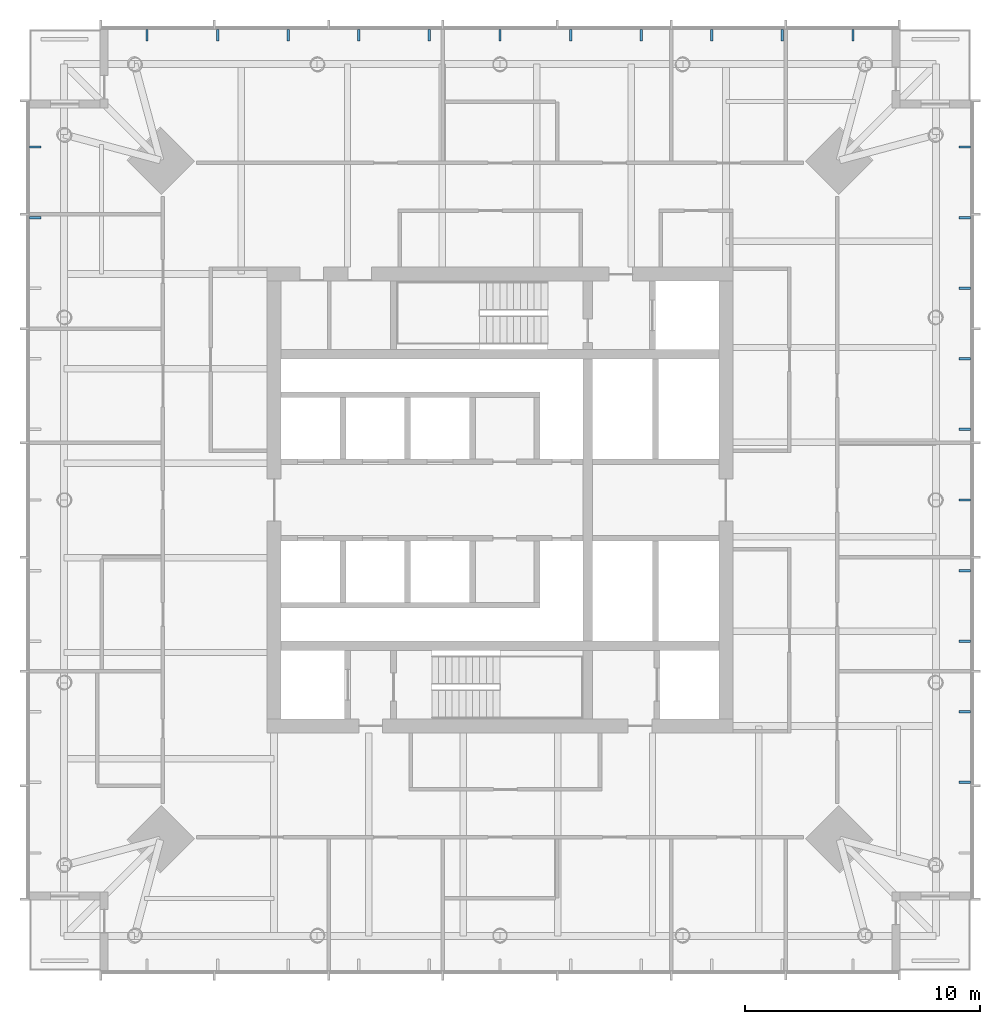
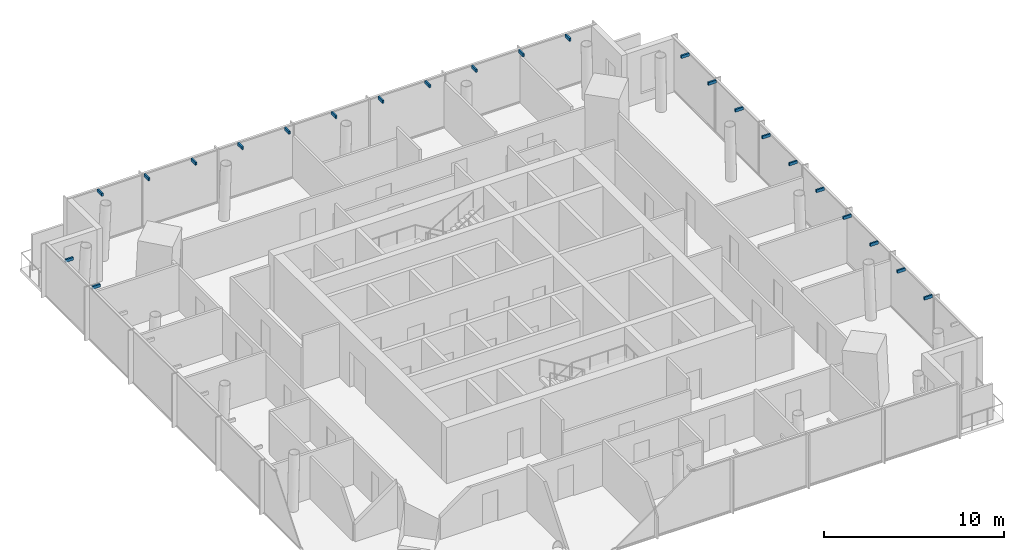
# One storey, part 8 of 9: 23 discrete accessories.
"""IFC4 building model written with IfcOpenShell, lengths in metres."""

from ifc_helpers import new_model, si_unit, direction, frame, origin, origin_2d, place, context, subcontext, project, spatial, rectangle, extrude, material, type_object, element, save


model = new_model("IFC4")

# Units and contexts
model_context = context("Model", 3, precision=1e-05, world=origin(), true_north=direction((0.0, 1.0)))
body_context = subcontext(model_context, "Body", "Model", "MODEL_VIEW")
ifc_project = project(units=[si_unit("LENGTHUNIT", "METRE"), si_unit("AREAUNIT", "SQUARE_METRE"), si_unit("VOLUMEUNIT", "CUBIC_METRE"), si_unit("PLANEANGLEUNIT", "RADIAN"), si_unit("MASSUNIT", "GRAM", prefix="KILO")], contexts=[model_context])

# Site, building, storey
site_placement = place(None, origin())
site = spatial("IfcSite", under=ifc_project, at=site_placement, CompositionType="ELEMENT")
building_placement = place(site_placement, origin())
building = spatial("IfcBuilding", under=site, at=building_placement, Name="Ostroluk Exchange", CompositionType="ELEMENT")
storey_placement = place(building_placement, frame((0.0, 0.0, 192.0)))
storey = spatial("IfcBuildingStorey", under=building, at=storey_placement, Name="L49", CompositionType="ELEMENT", Elevation=192.0)

# Discrete accessories
ifc_material = material(Name="Steel S355", Category="steel")
discrete_accessory_type = type_object("IfcDiscreteAccessoryType", Name="Maintenance roof bracket", PredefinedType="BRACKET", material=ifc_material)
for number, where, z_axis, x_axis, name in (
    (1, (64.75, 34.0, 3.4501953125), (0.0, 0.0, 1.0), (1.0, 0.0, 0.0), "Maintenance roof bracket L50 east 2"),
    (2, (64.75, 37.0, 3.4501953125), (0.0, 0.0, 1.0), (1.0, 0.0, 0.0), "Maintenance roof bracket L50 east 3"),
    (3, (64.75, 40.0, 3.4501953125), (0.0, 0.0, 1.0), (1.0, 0.0, 0.0), "Maintenance roof bracket L50 east 4"),
    (4, (64.75, 43.0, 3.4501953125), (0.0, 0.0, 1.0), (1.0, 0.0, 0.0), "Maintenance roof bracket L50 east 5"),
    (5, (64.75, 46.0, 3.4501953125), (0.0, 0.0, 1.0), (1.0, 0.0, 0.0), "Maintenance roof bracket L50 east 6"),
    (6, (64.75, 49.0, 3.4501953125), (0.0, 0.0, 1.0), (1.0, 0.0, 0.0), "Maintenance roof bracket L50 east 7"),
    (7, (64.75, 52.0, 3.4501953125), (0.0, 0.0, 1.0), (1.0, 0.0, 0.0), "Maintenance roof bracket L50 east 8"),
    (8, (64.75, 55.0, 3.4501953125), (0.0, 0.0, 1.0), (1.0, 0.0, 0.0), "Maintenance roof bracket L50 east 9"),
    (9, (64.75, 58.0, 3.4501953125), (0.0, 0.0, 1.0), (1.0, 0.0, 0.0), "Maintenance roof bracket L50 east 10"),
    (10, (64.75, 61.0, 3.4501953125), (0.0, 0.0, 1.0), (1.0, 0.0, 0.0), "Maintenance roof bracket L50 east 11"),
):
    element("IfcDiscreteAccessory", number, at=place(storey_placement, frame(where, z_axis=z_axis, x_axis=x_axis)), inside=storey, type_object=discrete_accessory_type, Name=name, PredefinedType="BRACKET", context=body_context, shape_type="SweptSolid", body=[
        extrude(rectangle(XDim=0.5, YDim=0.10009765625, at=origin_2d()), origin(), (0.0, 0.0, 1.0), 0.199951171875),
    ])
for number, where, z_axis, x_axis, name in (
    (11, (30.0, 65.75, 3.4501953125), (0.0, 0.0, 1.0), (1.0, 0.0, 0.0), "Maintenance roof bracket L50 north 1"),
    (12, (33.0, 65.75, 3.4501953125), (0.0, 0.0, 1.0), (1.0, 0.0, 0.0), "Maintenance roof bracket L50 north 2"),
    (13, (36.0, 65.75, 3.4501953125), (0.0, 0.0, 1.0), (1.0, 0.0, 0.0), "Maintenance roof bracket L50 north 3"),
    (14, (39.0, 65.75, 3.4501953125), (0.0, 0.0, 1.0), (1.0, 0.0, 0.0), "Maintenance roof bracket L50 north 4"),
    (15, (42.0, 65.75, 3.4501953125), (0.0, 0.0, 1.0), (1.0, 0.0, 0.0), "Maintenance roof bracket L50 north 5"),
    (16, (45.0, 65.75, 3.4501953125), (0.0, 0.0, 1.0), (1.0, 0.0, 0.0), "Maintenance roof bracket L50 north 6"),
    (17, (48.0, 65.75, 3.4501953125), (0.0, 0.0, 1.0), (1.0, 0.0, 0.0), "Maintenance roof bracket L50 north 7"),
    (18, (51.0, 65.75, 3.4501953125), (0.0, 0.0, 1.0), (1.0, 0.0, 0.0), "Maintenance roof bracket L50 north 8"),
    (19, (54.0, 65.75, 3.4501953125), (0.0, 0.0, 1.0), (1.0, 0.0, 0.0), "Maintenance roof bracket L50 north 9"),
    (20, (57.0, 65.75, 3.4501953125), (0.0, 0.0, 1.0), (1.0, 0.0, 0.0), "Maintenance roof bracket L50 north 10"),
    (21, (60.0, 65.75, 3.4501953125), (0.0, 0.0, 1.0), (1.0, 0.0, 0.0), "Maintenance roof bracket L50 north 11"),
):
    element("IfcDiscreteAccessory", number, at=place(storey_placement, frame(where, z_axis=z_axis, x_axis=x_axis)), inside=storey, type_object=discrete_accessory_type, Name=name, PredefinedType="BRACKET", context=body_context, shape_type="SweptSolid", body=[
        extrude(rectangle(XDim=0.10009765625, YDim=0.5, at=origin_2d()), origin(), (0.0, 0.0, 1.0), 0.199951171875),
    ])
for number, where, z_axis, x_axis, name in (
    (22, (25.25, 58.0, 3.4501953125), (0.0, 0.0, 1.0), (1.0, 0.0, 0.0), "Maintenance roof bracket L50 west 10"),
    (23, (25.25, 61.0, 3.4501953125), (0.0, 0.0, 1.0), (1.0, 0.0, 0.0), "Maintenance roof bracket L50 west 11"),
):
    element("IfcDiscreteAccessory", number, at=place(storey_placement, frame(where, z_axis=z_axis, x_axis=x_axis)), inside=storey, type_object=discrete_accessory_type, Name=name, PredefinedType="BRACKET", context=body_context, shape_type="SweptSolid", body=[
        extrude(rectangle(XDim=0.5, YDim=0.10009765625, at=origin_2d()), origin(), (0.0, 0.0, 1.0), 0.199951171875),
    ])

save(model, "model.ifc")
